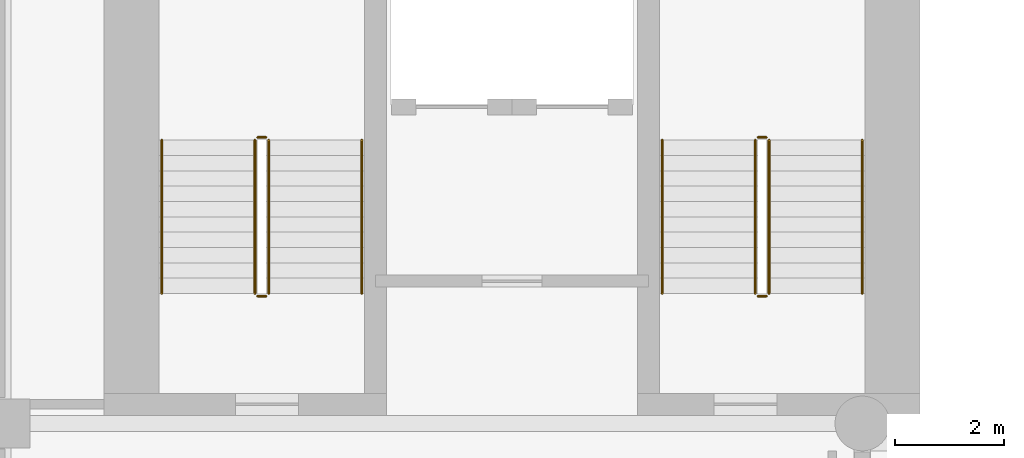
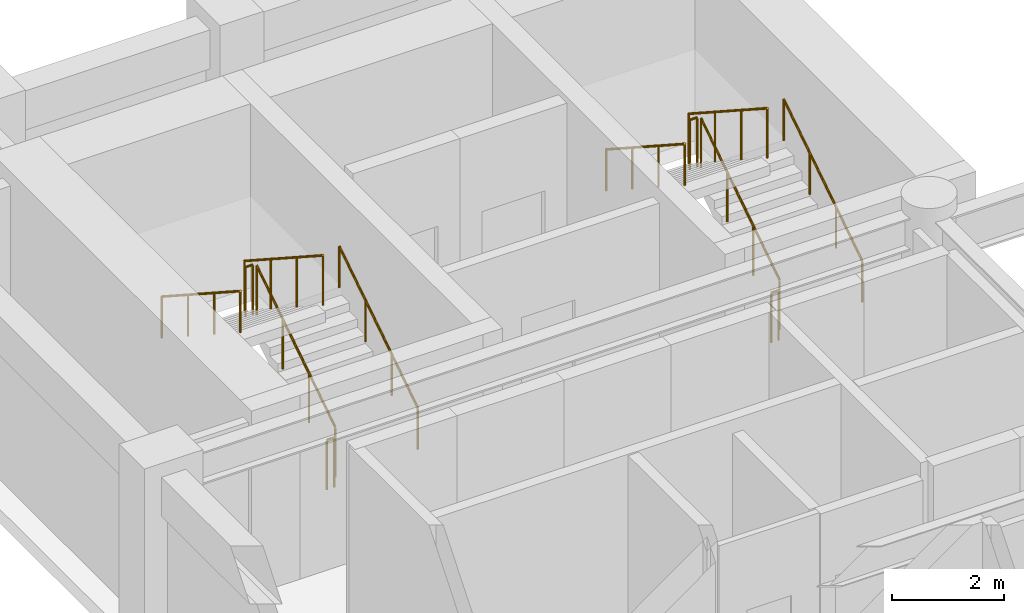
# One storey, part 6 of 7: 12 railings.
"""IFC4 building model written with IfcOpenShell, lengths in metres."""

from ifc_helpers import new_model, si_unit, direction, frame, origin, origin_2d, place, context, subcontext, project, spatial, circle, extrude, material, type_object, element, save


model = new_model("IFC4")

# Units and contexts
model_context = context("Model", 3, precision=1e-05, world=origin(), true_north=direction((0.0, 1.0)))
body_context = subcontext(model_context, "Body", "Model", "MODEL_VIEW")
ifc_project = project(units=[si_unit("LENGTHUNIT", "METRE"), si_unit("AREAUNIT", "SQUARE_METRE"), si_unit("VOLUMEUNIT", "CUBIC_METRE"), si_unit("PLANEANGLEUNIT", "RADIAN"), si_unit("MASSUNIT", "GRAM", prefix="KILO")], contexts=[model_context])

# Site, building, storey
site_placement = place(None, origin())
site = spatial("IfcSite", under=ifc_project, at=site_placement, CompositionType="ELEMENT")
building_placement = place(site_placement, origin())
building = spatial("IfcBuilding", under=site, at=building_placement, Name="Sulina Concourse Tower", CompositionType="ELEMENT")
storey_placement = place(building_placement, frame((0.0, 0.0, 34.60009765625)))
storey = spatial("IfcBuildingStorey", under=building, at=storey_placement, Name="L08", CompositionType="ELEMENT", Elevation=34.60009765625)

# Railings
ifc_material_1 = material(Name="Galvanised steel railing", Category="steel")
railing_type_1 = type_object("IfcRailingType", Name="Core Stair Steel Guardrail 1150mm", PredefinedType="GUARDRAIL", material=ifc_material_1)
railing_1_placement = place(storey_placement, frame((5.554931640625, 36.375, 0.181640625)))
element("IfcRailing", 1, at=railing_1_placement, inside=storey, type_object=railing_type_1, Name="L08 ST-1 stair guard 1", PredefinedType="GUARDRAIL", context=body_context, shape_type="SweptSolid", body=[
    extrude(circle(Radius=0.02392578125, at=origin_2d()), frame((0.0, 0.0, 1.076171875), z_axis=(0.0, 0.838672427954, 0.544636170843), x_axis=(-1.0, 0.0, 0.0)), (0.0, 0.0, 1.0), 3.338623046875),
    extrude(circle(Radius=0.02099609375, at=origin_2d()), origin(), (0.0, 0.0, 1.0), 1.052001953125),
    extrude(circle(Radius=0.02099609375, at=origin_2d()), frame((0.0, 0.933349609375, 0.606201171875)), (0.0, 0.0, 1.0), 1.052001953125),
    extrude(circle(Radius=0.02099609375, at=origin_2d()), frame((0.0, 1.86669921875, 1.212158203125)), (0.0, 0.0, 1.0), 1.052001953125),
    extrude(circle(Radius=0.02099609375, at=origin_2d()), frame((0.0, 2.800048828125, 1.818359375)), (0.0, 0.0, 1.0), 1.052001953125),
])
railing_2_placement = place(storey_placement, frame((5.5048828125, 39.22509765625, 2.0)))
element("IfcRailing", 2, at=railing_2_placement, inside=storey, type_object=railing_type_1, Name="L08 ST-1 stair guard 2", PredefinedType="GUARDRAIL", context=body_context, shape_type="SweptSolid", body=[
    extrude(circle(Radius=0.02392578125, at=origin_2d()), frame((0.0, 0.0, 1.076171875), z_axis=(-1.0, 0.0, 0.0), x_axis=(0.0, -1.0, 0.0)), (0.0, 0.0, 1.0), 0.14990234375),
    extrude(circle(Radius=0.02099609375, at=origin_2d()), origin(), (0.0, 0.0, 1.0), 1.052001953125),
    extrude(circle(Radius=0.02099609375, at=origin_2d()), frame((-0.14990234375, 0.0, 0.0)), (0.0, 0.0, 1.0), 1.052001953125),
])
railing_3_placement = place(storey_placement, frame((5.304931640625, 39.175048828125, 2.181640625)))
element("IfcRailing", 3, at=railing_3_placement, inside=storey, type_object=railing_type_1, Name="L08 ST-1 stair guard 3", PredefinedType="GUARDRAIL", context=body_context, shape_type="SweptSolid", body=[
    extrude(circle(Radius=0.02392578125, at=origin_2d()), frame((0.0, 0.0, 1.076171875), z_axis=(0.0, -0.838672427954, 0.544636170843), x_axis=(1.0, 0.0, 0.0)), (0.0, 0.0, 1.0), 3.338623046875),
    extrude(circle(Radius=0.02099609375, at=origin_2d()), origin(), (0.0, 0.0, 1.0), 1.052001953125),
    extrude(circle(Radius=0.02099609375, at=origin_2d()), frame((0.0, -0.933349609375, 0.606201171875)), (0.0, 0.0, 1.0), 1.052001953125),
    extrude(circle(Radius=0.02099609375, at=origin_2d()), frame((0.0, -1.86669921875, 1.212158203125)), (0.0, 0.0, 1.0), 1.052001953125),
    extrude(circle(Radius=0.02099609375, at=origin_2d()), frame((0.0, -2.800048828125, 1.818359375)), (0.0, 0.0, 1.0), 1.052001953125),
])
railing_4_placement = place(storey_placement, frame((5.5048828125, 36.324951171875, 0.0)))
element("IfcRailing", 4, at=railing_4_placement, inside=storey, type_object=railing_type_1, Name="L08 ST-1 stair guard 4", PredefinedType="GUARDRAIL", context=body_context, shape_type="SweptSolid", body=[
    extrude(circle(Radius=0.02392578125, at=origin_2d()), frame((0.0, 0.0, 1.076171875), z_axis=(-1.0, 0.0, 0.0), x_axis=(0.0, -1.0, 0.0)), (0.0, 0.0, 1.0), 0.14990234375),
    extrude(circle(Radius=0.02099609375, at=origin_2d()), origin(), (0.0, 0.0, 1.0), 1.052001953125),
    extrude(circle(Radius=0.02099609375, at=origin_2d()), frame((-0.14990234375, 0.0, 0.0)), (0.0, 0.0, 1.0), 1.052001953125),
])
railing_5_placement = place(storey_placement, frame((14.695068359375, 36.375, 0.181640625)))
element("IfcRailing", 5, at=railing_5_placement, inside=storey, type_object=railing_type_1, Name="L08 ST-2 stair guard 1", PredefinedType="GUARDRAIL", context=body_context, shape_type="SweptSolid", body=[
    extrude(circle(Radius=0.02392578125, at=origin_2d()), frame((0.0, 0.0, 1.076171875), z_axis=(0.0, 0.838672427954, 0.544636170843), x_axis=(-1.0, 0.0, 0.0)), (0.0, 0.0, 1.0), 3.338623046875),
    extrude(circle(Radius=0.02099609375, at=origin_2d()), origin(), (0.0, 0.0, 1.0), 1.052001953125),
    extrude(circle(Radius=0.02099609375, at=origin_2d()), frame((0.0, 0.933349609375, 0.606201171875)), (0.0, 0.0, 1.0), 1.052001953125),
    extrude(circle(Radius=0.02099609375, at=origin_2d()), frame((0.0, 1.86669921875, 1.212158203125)), (0.0, 0.0, 1.0), 1.052001953125),
    extrude(circle(Radius=0.02099609375, at=origin_2d()), frame((0.0, 2.800048828125, 1.818359375)), (0.0, 0.0, 1.0), 1.052001953125),
])
railing_6_placement = place(storey_placement, frame((14.64501953125, 39.22509765625, 2.0)))
element("IfcRailing", 6, at=railing_6_placement, inside=storey, type_object=railing_type_1, Name="L08 ST-2 stair guard 2", PredefinedType="GUARDRAIL", context=body_context, shape_type="SweptSolid", body=[
    extrude(circle(Radius=0.02392578125, at=origin_2d()), frame((0.0, 0.0, 1.076171875), z_axis=(-1.0, 0.0, 0.0), x_axis=(0.0, -1.0, 0.0)), (0.0, 0.0, 1.0), 0.14990234375),
    extrude(circle(Radius=0.02099609375, at=origin_2d()), origin(), (0.0, 0.0, 1.0), 1.052001953125),
    extrude(circle(Radius=0.02099609375, at=origin_2d()), frame((-0.14990234375, 0.0, 0.0)), (0.0, 0.0, 1.0), 1.052001953125),
])
railing_7_placement = place(storey_placement, frame((14.445068359375, 39.175048828125, 2.181640625)))
element("IfcRailing", 7, at=railing_7_placement, inside=storey, type_object=railing_type_1, Name="L08 ST-2 stair guard 3", PredefinedType="GUARDRAIL", context=body_context, shape_type="SweptSolid", body=[
    extrude(circle(Radius=0.02392578125, at=origin_2d()), frame((0.0, 0.0, 1.076171875), z_axis=(0.0, -0.838672427954, 0.544636170843), x_axis=(1.0, 0.0, 0.0)), (0.0, 0.0, 1.0), 3.338623046875),
    extrude(circle(Radius=0.02099609375, at=origin_2d()), origin(), (0.0, 0.0, 1.0), 1.052001953125),
    extrude(circle(Radius=0.02099609375, at=origin_2d()), frame((0.0, -0.933349609375, 0.606201171875)), (0.0, 0.0, 1.0), 1.052001953125),
    extrude(circle(Radius=0.02099609375, at=origin_2d()), frame((0.0, -1.86669921875, 1.212158203125)), (0.0, 0.0, 1.0), 1.052001953125),
    extrude(circle(Radius=0.02099609375, at=origin_2d()), frame((0.0, -2.800048828125, 1.818359375)), (0.0, 0.0, 1.0), 1.052001953125),
])
railing_8_placement = place(storey_placement, frame((14.64501953125, 36.324951171875, 0.0)))
element("IfcRailing", 8, at=railing_8_placement, inside=storey, type_object=railing_type_1, Name="L08 ST-2 stair guard 4", PredefinedType="GUARDRAIL", context=body_context, shape_type="SweptSolid", body=[
    extrude(circle(Radius=0.02392578125, at=origin_2d()), frame((0.0, 0.0, 1.076171875), z_axis=(-1.0, 0.0, 0.0), x_axis=(0.0, -1.0, 0.0)), (0.0, 0.0, 1.0), 0.14990234375),
    extrude(circle(Radius=0.02099609375, at=origin_2d()), origin(), (0.0, 0.0, 1.0), 1.052001953125),
    extrude(circle(Radius=0.02099609375, at=origin_2d()), frame((-0.14990234375, 0.0, 0.0)), (0.0, 0.0, 1.0), 1.052001953125),
])
ifc_material_2 = material(Name="Galvanised steel railing", Category="steel")
railing_type_2 = type_object("IfcRailingType", Name="Stair Wall Steel Handrail 920mm", PredefinedType="HANDRAIL", material=ifc_material_2)
railing_9_placement = place(storey_placement, frame((7.2548828125, 36.375, 0.181640625)))
element("IfcRailing", 9, at=railing_9_placement, inside=storey, type_object=railing_type_2, Name="L08 ST-1 stair handrail 1", PredefinedType="HANDRAIL", context=body_context, shape_type="SweptSolid", body=[
    extrude(circle(Radius=0.02392578125, at=origin_2d()), frame((0.0, 0.0, 0.89599609375), z_axis=(0.0, 0.838672427954, 0.544636170843), x_axis=(-1.0, 0.0, 0.0)), (0.0, 0.0, 1.0), 3.338623046875),
    extrude(circle(Radius=0.02099609375, at=origin_2d()), origin(), (0.0, 0.0, 1.0), 0.871826171875),
    extrude(circle(Radius=0.02099609375, at=origin_2d()), frame((0.0, 0.933349609375, 0.606201171875)), (0.0, 0.0, 1.0), 0.871826171875),
    extrude(circle(Radius=0.02099609375, at=origin_2d()), frame((0.0, 1.86669921875, 1.212158203125)), (0.0, 0.0, 1.0), 0.871826171875),
    extrude(circle(Radius=0.02099609375, at=origin_2d()), frame((0.0, 2.800048828125, 1.818359375)), (0.0, 0.0, 1.0), 0.871826171875),
])
railing_10_placement = place(storey_placement, frame((3.60498046875, 39.175048828125, 2.181640625)))
element("IfcRailing", 10, at=railing_10_placement, inside=storey, type_object=railing_type_2, Name="L08 ST-1 stair handrail 2", PredefinedType="HANDRAIL", context=body_context, shape_type="SweptSolid", body=[
    extrude(circle(Radius=0.02392578125, at=origin_2d()), frame((0.0, 0.0, 0.89599609375), z_axis=(0.0, -0.838672427954, 0.544636170843), x_axis=(1.0, 0.0, 0.0)), (0.0, 0.0, 1.0), 3.338623046875),
    extrude(circle(Radius=0.02099609375, at=origin_2d()), origin(), (0.0, 0.0, 1.0), 0.871826171875),
    extrude(circle(Radius=0.02099609375, at=origin_2d()), frame((0.0, -0.933349609375, 0.606201171875)), (0.0, 0.0, 1.0), 0.871826171875),
    extrude(circle(Radius=0.02099609375, at=origin_2d()), frame((0.0, -1.86669921875, 1.212158203125)), (0.0, 0.0, 1.0), 0.871826171875),
    extrude(circle(Radius=0.02099609375, at=origin_2d()), frame((0.0, -2.800048828125, 1.818359375)), (0.0, 0.0, 1.0), 0.871826171875),
])
railing_11_placement = place(storey_placement, frame((16.39501953125, 36.375, 0.181640625)))
element("IfcRailing", 11, at=railing_11_placement, inside=storey, type_object=railing_type_2, Name="L08 ST-2 stair handrail 1", PredefinedType="HANDRAIL", context=body_context, shape_type="SweptSolid", body=[
    extrude(circle(Radius=0.02392578125, at=origin_2d()), frame((0.0, 0.0, 0.89599609375), z_axis=(0.0, 0.838672427954, 0.544636170843), x_axis=(-1.0, 0.0, 0.0)), (0.0, 0.0, 1.0), 3.338623046875),
    extrude(circle(Radius=0.02099609375, at=origin_2d()), origin(), (0.0, 0.0, 1.0), 0.871826171875),
    extrude(circle(Radius=0.02099609375, at=origin_2d()), frame((0.0, 0.933349609375, 0.606201171875)), (0.0, 0.0, 1.0), 0.871826171875),
    extrude(circle(Radius=0.02099609375, at=origin_2d()), frame((0.0, 1.86669921875, 1.212158203125)), (0.0, 0.0, 1.0), 0.871826171875),
    extrude(circle(Radius=0.02099609375, at=origin_2d()), frame((0.0, 2.800048828125, 1.818359375)), (0.0, 0.0, 1.0), 0.871826171875),
])
railing_12_placement = place(storey_placement, frame((12.7451171875, 39.175048828125, 2.181640625)))
element("IfcRailing", 12, at=railing_12_placement, inside=storey, type_object=railing_type_2, Name="L08 ST-2 stair handrail 2", PredefinedType="HANDRAIL", context=body_context, shape_type="SweptSolid", body=[
    extrude(circle(Radius=0.02392578125, at=origin_2d()), frame((0.0, 0.0, 0.89599609375), z_axis=(0.0, -0.838672427954, 0.544636170843), x_axis=(1.0, 0.0, 0.0)), (0.0, 0.0, 1.0), 3.338623046875),
    extrude(circle(Radius=0.02099609375, at=origin_2d()), origin(), (0.0, 0.0, 1.0), 0.871826171875),
    extrude(circle(Radius=0.02099609375, at=origin_2d()), frame((0.0, -0.933349609375, 0.606201171875)), (0.0, 0.0, 1.0), 0.871826171875),
    extrude(circle(Radius=0.02099609375, at=origin_2d()), frame((0.0, -1.86669921875, 1.212158203125)), (0.0, 0.0, 1.0), 0.871826171875),
    extrude(circle(Radius=0.02099609375, at=origin_2d()), frame((0.0, -2.800048828125, 1.818359375)), (0.0, 0.0, 1.0), 0.871826171875),
])

save(model, "model.ifc")
